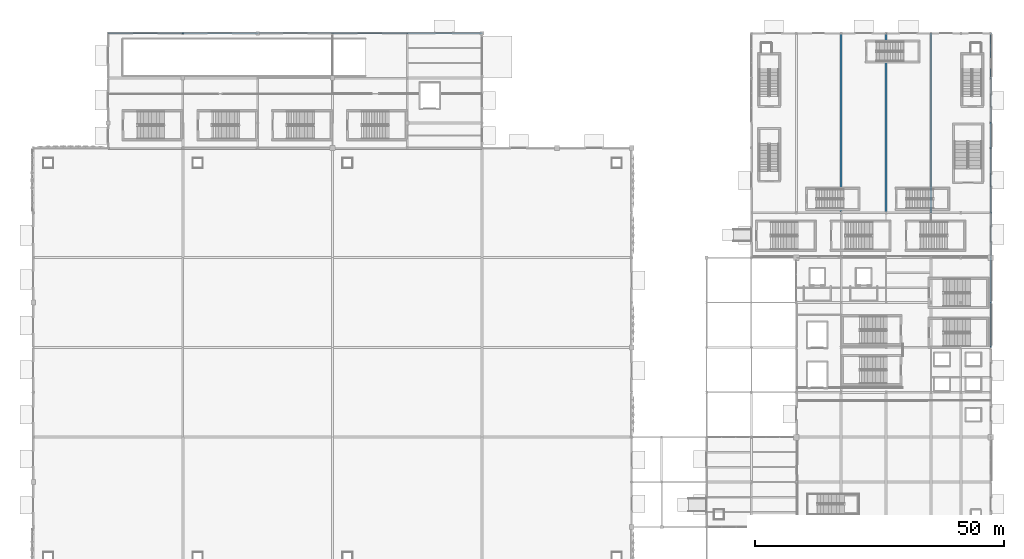
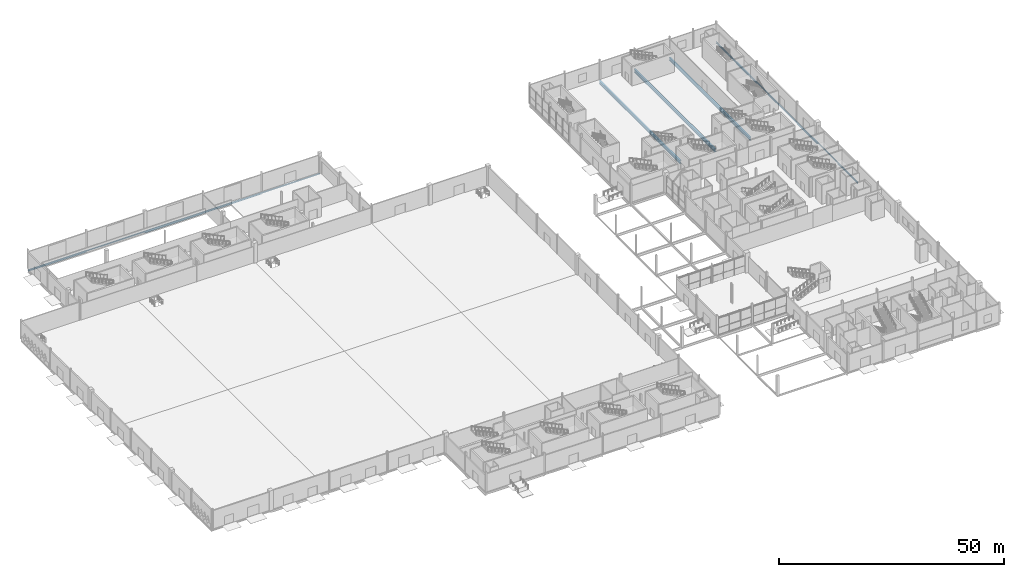
# One storey, part 40 of 94: 15 beams.
"""IFC4 building model written with IfcOpenShell, lengths in metres."""

from ifc_helpers import new_model, si_unit, direction, frame, origin, origin_2d, place, context, subcontext, project, spatial, hollow_rectangle, i_section, extrude, material, material_profile, profile_set, type_object, element, save


model = new_model("IFC4")

# Units and contexts
model_context = context("Model", 3, precision=1e-05, world=origin(), true_north=direction((0.0, 1.0)))
body_context = subcontext(model_context, "Body", "Model", "MODEL_VIEW")
ifc_project = project(units=[si_unit("LENGTHUNIT", "METRE"), si_unit("AREAUNIT", "SQUARE_METRE"), si_unit("VOLUMEUNIT", "CUBIC_METRE"), si_unit("PLANEANGLEUNIT", "RADIAN"), si_unit("MASSUNIT", "GRAM", prefix="KILO")], contexts=[model_context])

# Site, building, storey
site_placement = place(None, origin())
site = spatial("IfcSite", under=ifc_project, at=site_placement, CompositionType="ELEMENT")
building_placement = place(site_placement, origin())
building = spatial("IfcBuilding", under=site, at=building_placement, Name="Qamarlyn Nura Convention Centre", CompositionType="ELEMENT")
storey_placement = place(building_placement, origin())
storey = spatial("IfcBuildingStorey", under=building, at=storey_placement, Name="L00", CompositionType="ELEMENT", Elevation=0.0)

# Beams
ifc_material_1 = material(Name="Steel ASTM A992", Category="steel")
ifc_material_profile_1 = material_profile(ifc_material_1, i_section(OverallWidth=0.39990234375, OverallDepth=0.85498046875, WebThickness=0.018310546875, FlangeThickness=0.029296875, FilletRadius=0.02197265625, at=origin_2d()), Name="W840X299")
ifc_profile_set_1 = profile_set([ifc_material_profile_1], Name="Steel ASTM A992")
beam_type_1 = type_object("IfcBeamType", Name="BM-GIRD-840", PredefinedType="BEAM", material=ifc_profile_set_1)
for number, where, z_axis, x_axis, name in (
    (1, (162.0, 90.0, -0.70751953125), (0.0, 1.0, 0.0), (-1.0, 0.0, 0.0), "L00 girder 14 L-Q"),
    (2, (171.0, 90.0, -0.70751953125), (0.0, 1.0, 0.0), (-1.0, 0.0, 0.0), "L00 girder 15 L-Q"),
    (3, (180.0, 90.0, -0.70751953125), (0.0, 1.0, 0.0), (-1.0, 0.0, 0.0), "L00 girder 16 L-Q"),
):
    element("IfcBeam", number, at=place(storey_placement, frame(where, z_axis=z_axis, x_axis=x_axis)), inside=storey, type_object=beam_type_1, Name=name, PredefinedType="BEAM", context=body_context, shape_type="SweptSolid", body=[
        extrude(i_section(OverallWidth=0.39990234375, OverallDepth=0.85498046875, WebThickness=0.018310546875, FlangeThickness=0.029296875, FilletRadius=0.02197265625, at=origin_2d()), origin(), (0.0, 0.0, 1.0), 36.0),
    ])
ifc_material_profile_2 = material_profile(ifc_material_1, i_section(OverallWidth=0.193115234375, OverallDepth=0.466064453125, WebThickness=0.011474609375, FlangeThickness=0.01904296875, FilletRadius=0.012939453125, at=origin_2d()), Name="W460X97")
ifc_profile_set_2 = profile_set([ifc_material_profile_2], Name="Steel ASTM A992")
beam_type_2 = type_object("IfcBeamType", Name="BM-SPAN-460", PredefinedType="SPANDREL", material=ifc_profile_set_2)
for number, where, z_axis, x_axis, name in (
    (4, (15.0, 126.0, -0.552978515625), (1.0, 0.0, 0.0), (0.0, 1.0, 0.0), "L00 girder Q 2-3"),
    (5, (60.0, 126.0, -0.552978515625), (1.0, 0.0, 0.0), (0.0, 1.0, 0.0), "L00 girder Q 5-6"),
):
    element("IfcBeam", number, at=place(storey_placement, frame(where, z_axis=z_axis, x_axis=x_axis)), inside=storey, type_object=beam_type_2, Name=name, PredefinedType="SPANDREL", context=body_context, shape_type="SweptSolid", body=[
        extrude(i_section(OverallWidth=0.193115234375, OverallDepth=0.466064453125, WebThickness=0.011474609375, FlangeThickness=0.01904296875, FilletRadius=0.012939453125, at=origin_2d()), origin(), (0.0, 0.0, 1.0), 15.0),
    ])
beam_1_placement = place(storey_placement, frame((192.0, 63.0, -0.492919921875), z_axis=(0.0, 1.0, 0.0), x_axis=(-1.0, 0.0, 0.0)))
element("IfcBeam", 6, at=beam_1_placement, inside=storey, type_object=beam_type_2, Name="L00 girder 18 H-J", PredefinedType="SPANDREL", context=body_context, shape_type="SweptSolid", body=[
    extrude(i_section(OverallWidth=0.193115234375, OverallDepth=0.466064453125, WebThickness=0.011474609375, FlangeThickness=0.01904296875, FilletRadius=0.012939453125, at=origin_2d()), origin(), (0.0, 0.0, 1.0), 9.0),
])
beam_2_placement = place(storey_placement, frame((192.0, 90.0, -0.512939453125), z_axis=(0.0, 1.0, 0.0), x_axis=(-1.0, 0.0, 0.0)))
element("IfcBeam", 7, at=beam_2_placement, inside=storey, type_object=beam_type_2, Name="L00 girder 18 L-M", PredefinedType="SPANDREL", context=body_context, shape_type="SweptSolid", body=[
    extrude(i_section(OverallWidth=0.193115234375, OverallDepth=0.466064453125, WebThickness=0.011474609375, FlangeThickness=0.01904296875, FilletRadius=0.012939453125, at=origin_2d()), origin(), (0.0, 0.0, 1.0), 13.0),
])
beam_3_placement = place(storey_placement, frame((192.0, 117.0, -0.512939453125), z_axis=(0.0, 1.0, 0.0), x_axis=(-1.0, 0.0, 0.0)))
element("IfcBeam", 8, at=beam_3_placement, inside=storey, type_object=beam_type_2, Name="L00 girder 18 P-Q", PredefinedType="SPANDREL", context=body_context, shape_type="SweptSolid", body=[
    extrude(i_section(OverallWidth=0.193115234375, OverallDepth=0.466064453125, WebThickness=0.011474609375, FlangeThickness=0.01904296875, FilletRadius=0.012939453125, at=origin_2d()), origin(), (0.0, 0.0, 1.0), 9.0),
])
ifc_material_profile_3 = material_profile(ifc_material_1, i_section(OverallWidth=0.2109375, OverallDepth=0.5390625, WebThickness=0.01171875, FlangeThickness=0.018798828125, FilletRadius=0.013916015625, at=origin_2d()), Name="W530X109")
ifc_profile_set_3 = profile_set([ifc_material_profile_3], Name="Steel ASTM A992")
beam_type_3 = type_object("IfcBeamType", Name="BM-SPAN-530", PredefinedType="SPANDREL", material=ifc_profile_set_3)
beam_4_placement = place(storey_placement, frame((45.0, 126.0, -0.589599609375), z_axis=(1.0, 0.0, 0.0), x_axis=(0.0, 1.0, 0.0)))
element("IfcBeam", 9, at=beam_4_placement, inside=storey, type_object=beam_type_3, Name="L00 girder Q 4-5", PredefinedType="SPANDREL", context=body_context, shape_type="SweptSolid", body=[
    extrude(i_section(OverallWidth=0.2109375, OverallDepth=0.5390625, WebThickness=0.01171875, FlangeThickness=0.018798828125, FilletRadius=0.013916015625, at=origin_2d()), origin(), (0.0, 0.0, 1.0), 15.0),
])
for number, where, z_axis, x_axis, name in (
    (10, (192.0, 81.0, -0.549560546875), (0.0, 1.0, 0.0), (-1.0, 0.0, 0.0), "L00 girder 18 K-L"),
    (11, (192.0, 108.0, -0.549560546875), (0.0, 1.0, 0.0), (-1.0, 0.0, 0.0), "L00 girder 18 N-P"),
):
    element("IfcBeam", number, at=place(storey_placement, frame(where, z_axis=z_axis, x_axis=x_axis)), inside=storey, type_object=beam_type_3, Name=name, PredefinedType="SPANDREL", context=body_context, shape_type="SweptSolid", body=[
        extrude(i_section(OverallWidth=0.2109375, OverallDepth=0.5390625, WebThickness=0.01171875, FlangeThickness=0.018798828125, FilletRadius=0.013916015625, at=origin_2d()), origin(), (0.0, 0.0, 1.0), 9.0),
    ])
ifc_material_2 = material(Name="Steel ASTM A500 Grade C", Category="steel")
ifc_material_profile_4 = material_profile(ifc_material_2, hollow_rectangle(XDim=0.199951171875, YDim=0.300048828125, WallThickness=0.012451171875, InnerFilletRadius=0.012451171875, OuterFilletRadius=0.02490234375, at=origin_2d()), Name="HSS300X200X12.5")
ifc_profile_set_4 = profile_set([ifc_material_profile_4], Name="Steel ASTM A500 Grade C")
beam_type_4 = type_object("IfcBeamType", Name="BM-SPAN-HSS", PredefinedType="SPANDREL", material=ifc_profile_set_4)
for number, where, z_axis, x_axis, name in (
    (12, (30.0, 126.0, -0.469970703125), (1.0, 0.0, 0.0), (0.0, 1.0, 0.0), "L00 girder Q 3-4"),
    (13, (75.0, 126.0, -0.469970703125), (1.0, 0.0, 0.0), (0.0, 1.0, 0.0), "L00 girder Q 6-7"),
):
    element("IfcBeam", number, at=place(storey_placement, frame(where, z_axis=z_axis, x_axis=x_axis)), inside=storey, type_object=beam_type_4, Name=name, PredefinedType="SPANDREL", context=body_context, shape_type="SweptSolid", body=[
        extrude(hollow_rectangle(XDim=0.199951171875, YDim=0.300048828125, WallThickness=0.012451171875, InnerFilletRadius=0.012451171875, OuterFilletRadius=0.02490234375, at=origin_2d()), origin(), (0.0, 0.0, 1.0), 15.0),
    ])
beam_5_placement = place(storey_placement, frame((192.0, 72.0, -0.409912109375), z_axis=(0.0, 1.0, 0.0), x_axis=(-1.0, 0.0, 0.0)))
element("IfcBeam", 14, at=beam_5_placement, inside=storey, type_object=beam_type_4, Name="L00 girder 18 J-K", PredefinedType="SPANDREL", context=body_context, shape_type="SweptSolid", body=[
    extrude(hollow_rectangle(XDim=0.199951171875, YDim=0.300048828125, WallThickness=0.012451171875, InnerFilletRadius=0.012451171875, OuterFilletRadius=0.02490234375, at=origin_2d()), origin(), (0.0, 0.0, 1.0), 9.0),
])
beam_6_placement = place(storey_placement, frame((192.0, 103.0, -0.429931640625), z_axis=(0.0, 1.0, 0.0), x_axis=(-1.0, 0.0, 0.0)))
element("IfcBeam", 15, at=beam_6_placement, inside=storey, type_object=beam_type_4, Name="L00 girder 18 M-N", PredefinedType="SPANDREL", context=body_context, shape_type="SweptSolid", body=[
    extrude(hollow_rectangle(XDim=0.199951171875, YDim=0.300048828125, WallThickness=0.012451171875, InnerFilletRadius=0.012451171875, OuterFilletRadius=0.02490234375, at=origin_2d()), origin(), (0.0, 0.0, 1.0), 5.0),
])

save(model, "model.ifc")
